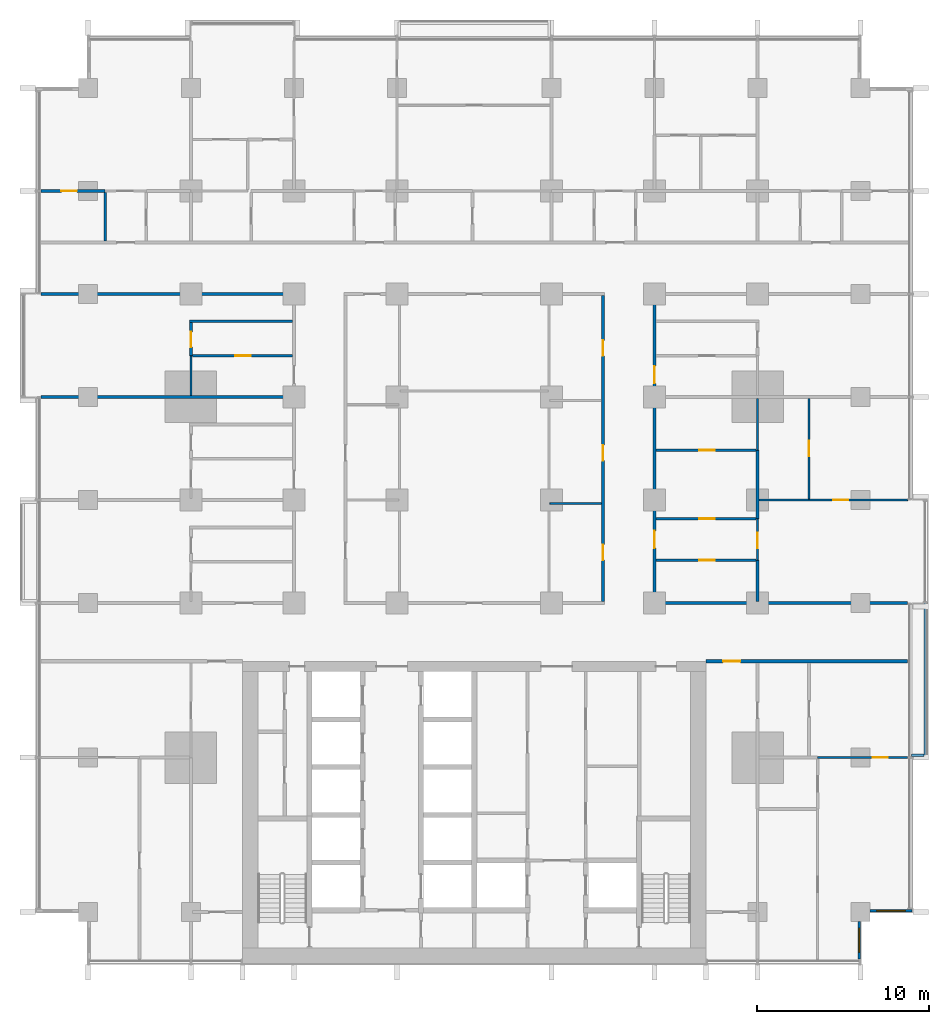
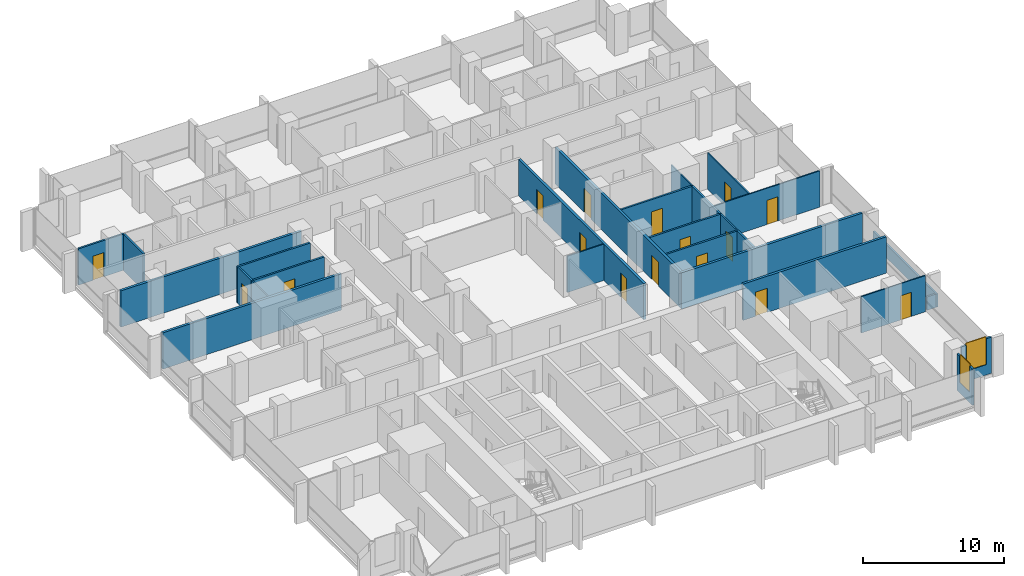
# One storey, part 10 of 18: 27 walls, 16 doors, 2 windows, 18 openings.
"""IFC4 building model written with IfcOpenShell, lengths in metres."""

from ifc_helpers import new_model, si_unit, direction, frame, frame_2d, origin, place, context, subcontext, project, spatial, rectangle, extrude, material, layer, layer_set, type_object, element, fill, save


model = new_model("IFC4")

# Units and contexts
model_context = context("Model", 3, precision=1e-05, world=origin(), true_north=direction((0.0, 1.0)))
body_context = subcontext(model_context, "Body", "Model", "MODEL_VIEW")
ifc_project = project(units=[si_unit("LENGTHUNIT", "METRE"), si_unit("AREAUNIT", "SQUARE_METRE"), si_unit("VOLUMEUNIT", "CUBIC_METRE"), si_unit("PLANEANGLEUNIT", "RADIAN"), si_unit("MASSUNIT", "GRAM", prefix="KILO")], contexts=[model_context])

# Site, building, storey
site_placement = place(None, origin())
site = spatial("IfcSite", under=ifc_project, at=site_placement, CompositionType="ELEMENT")
building_placement = place(site_placement, origin())
building = spatial("IfcBuilding", under=site, at=building_placement, Name="Finial Court Residences", CompositionType="ELEMENT")
storey_placement = place(building_placement, frame((0.0, 0.0, 72.10009765625)))
storey = spatial("IfcBuildingStorey", under=building, at=storey_placement, Name="L17", CompositionType="ELEMENT", Elevation=72.10009765625)

# Wall
ifc_material_1 = material(Name="Gypsum board")
ifc_layer_1 = layer(ifc_material_1, 0.02490234375)
ifc_material_2 = material(Name="Acoustic mineral wool in double frame")
ifc_layer_2 = layer(ifc_material_2, 0.14990234375)
ifc_layer_3 = layer(ifc_material_1, 0.02490234375)
ifc_layer_set_1 = layer_set([ifc_layer_1, ifc_layer_2, ifc_layer_3], Name="Acoustic party wall 200, 1 hour")
wall_type_1 = type_object("IfcWallType", Name="Acoustic party wall 200, 1 hour", PredefinedType="PARTITIONING", material=ifc_layer_set_1)
wall_1_placement = place(storey_placement, frame((-25.25, 7.5, 0.0), z_axis=(0.0, 0.0, 1.0), x_axis=(1.0, 0.0, 0.0)))
element("IfcWall", 1, at=wall_1_placement, inside=storey, type_object=wall_type_1, Name="Partition L17-025", PredefinedType="PARTITIONING", context=body_context, shape_type="SweptSolid", body=[
    extrude(rectangle(XDim=14.64990234375, YDim=0.199951171875, at=frame_2d((7.324951171875, 0.0))), origin(), (0.0, 0.0, 1.0), 3.14990234375),
])

# Wall, opening, door
ifc_layer_4 = layer(ifc_material_1, 0.02490234375)
ifc_layer_5 = layer(ifc_material_2, 0.14990234375)
ifc_layer_6 = layer(ifc_material_1, 0.02490234375)
ifc_layer_set_2 = layer_set([ifc_layer_4, ifc_layer_5, ifc_layer_6], Name="Corridor wall 200, 1 hour")
wall_type_2 = type_object("IfcWallType", Name="Corridor wall 200, 1 hour", PredefinedType="PARTITIONING", material=ifc_layer_set_2)
wall_2_placement = place(storey_placement, frame((13.5, -7.89990234375, 0.0), z_axis=(0.0, 0.0, 1.0), x_axis=(1.0, 0.0, 0.0)))
wall_2 = element("IfcWall", 2, at=wall_2_placement, inside=storey, type_object=wall_type_2, Name="Partition L17-008", PredefinedType="PARTITIONING", context=body_context, shape_type="SweptSolid", body=[
    extrude(rectangle(XDim=11.75, YDim=0.199951171875, at=frame_2d((5.875, 0.0))), origin(), (0.0, 0.0, 1.0), 3.14990234375),
])
opening_1_placement = place(wall_2_placement, frame((1.0, 0.0, 0.0)))
opening_1 = element("IfcOpeningElement", 3, at=opening_1_placement, cuts=wall_2, Name="Opening L17-D006", PredefinedType="OPENING", context=body_context, shape_type="SweptSolid", body=[
    extrude(rectangle(XDim=1.0, YDim=2.10009765625, at=frame_2d((0.5, 1.050048828125))), frame((0.0, 0.10986328125, 0.0), z_axis=(0.0, -1.0, 0.0), x_axis=(1.0, 0.0, 0.0)), (0.0, 0.0, 1.0), 0.219970703125),
])
ifc_material_3 = material(Name="Timber door leaf in hollow metal frame", Category="wood")
door_type_1 = type_object("IfcDoorType", Name="Fire door set 1000 x 2100, 30 minutes", OperationType="SINGLE_SWING_LEFT", PredefinedType="DOOR", material=ifc_material_3)
door_1_placement = place(opening_1_placement, origin())
door_1 = element("IfcDoor", 4, at=door_1_placement, inside=storey, type_object=door_type_1, Name="Door L17-D006", OperationType="SINGLE_SWING_LEFT", OverallHeight=2.10009765625, OverallWidth=1.0, PredefinedType="DOOR", context=body_context, shape_type="SweptSolid", body=[
    extrude(rectangle(XDim=1.0, YDim=2.10009765625, at=frame_2d((0.5, 1.050048828125))), frame((0.0, 0.02490234375, 0.0), z_axis=(0.0, -1.0, 0.0), x_axis=(1.0, 0.0, 0.0)), (0.0, 0.0, 1.0), 0.050048828125),
])
fill(opening_1, door_1)

# Walls
for number, where, z_axis, x_axis, name in (
    (5, (10.39990234375, -4.5, 0.0), (0.0, 0.0, 1.0), (1.0, 0.0, 0.0), "Partition L17-011"),
    (6, (-25.25, 13.5, 0.0), (0.0, 0.0, 1.0), (1.0, 0.0, 0.0), "Partition L17-032"),
):
    element("IfcWall", number, at=place(storey_placement, frame(where, z_axis=z_axis, x_axis=x_axis)), inside=storey, type_object=wall_type_2, Name=name, PredefinedType="PARTITIONING", context=body_context, shape_type="SweptSolid", body=[
        extrude(rectangle(XDim=14.85009765625, YDim=0.199951171875, at=frame_2d((7.425048828125, 0.0))), origin(), (0.0, 0.0, 1.0), 3.14990234375),
    ])

# Wall, openings, doors
wall_3_placement = place(storey_placement, frame((7.5, -4.39990234375, 0.0), z_axis=(0.0, 0.0, 1.0), x_axis=(0.0, 1.0, 0.0)))
wall_3 = element("IfcWall", 7, at=wall_3_placement, inside=storey, type_object=wall_type_2, Name="Partition L17-082", PredefinedType="PARTITIONING", context=body_context, shape_type="SweptSolid", body=[
    extrude(rectangle(XDim=17.7998046875, YDim=0.199951171875, at=frame_2d((8.89990234375, 0.0))), origin(), (0.0, 0.0, 1.0), 3.14990234375),
])
opening_2_placement = place(wall_3_placement, frame((2.39990234375, 0.0, 0.0)))
opening_2 = element("IfcOpeningElement", 8, at=opening_2_placement, cuts=wall_3, Name="Opening L17-D051", PredefinedType="OPENING", context=body_context, shape_type="SweptSolid", body=[
    extrude(rectangle(XDim=0.89990234375, YDim=2.10009765625, at=frame_2d((0.449951171875, 1.050048828125))), frame((0.0, 0.10986328125, 0.0), z_axis=(0.0, -1.0, 0.0), x_axis=(1.0, 0.0, 0.0)), (0.0, 0.0, 1.0), 0.219970703125),
])
opening_3_placement = place(wall_3_placement, frame((8.199951171875, 0.0, 0.0)))
opening_3 = element("IfcOpeningElement", 9, at=opening_3_placement, cuts=wall_3, Name="Opening L17-D052", PredefinedType="OPENING", context=body_context, shape_type="SweptSolid", body=[
    extrude(rectangle(XDim=0.89990234375, YDim=2.10009765625, at=frame_2d((0.449951171875, 1.050048828125))), frame((0.0, 0.10986328125, 0.0), z_axis=(0.0, -1.0, 0.0), x_axis=(1.0, 0.0, 0.0)), (0.0, 0.0, 1.0), 0.219970703125),
])
opening_4_placement = place(wall_3_placement, frame((14.300048828125, 0.0, 0.0)))
opening_4 = element("IfcOpeningElement", 10, at=opening_4_placement, cuts=wall_3, Name="Opening L17-D053", PredefinedType="OPENING", context=body_context, shape_type="SweptSolid", body=[
    extrude(rectangle(XDim=0.89990234375, YDim=2.10009765625, at=frame_2d((0.449951171875, 1.050048828125))), frame((0.0, 0.10986328125, 0.0), z_axis=(0.0, -1.0, 0.0), x_axis=(1.0, 0.0, 0.0)), (0.0, 0.0, 1.0), 0.219970703125),
])
door_type_2 = type_object("IfcDoorType", Name="Fire door set 900 x 2100, 30 minutes", OperationType="SINGLE_SWING_LEFT", PredefinedType="DOOR", material=ifc_material_3)
door_2_placement = place(opening_2_placement, origin())
door_2 = element("IfcDoor", 11, at=door_2_placement, inside=storey, type_object=door_type_2, Name="Door L17-D051", OperationType="SINGLE_SWING_RIGHT", OverallHeight=2.10009765625, OverallWidth=0.89990234375, PredefinedType="DOOR", context=body_context, shape_type="SweptSolid", body=[
    extrude(rectangle(XDim=0.89990234375, YDim=2.10009765625, at=frame_2d((0.449951171875, 1.050048828125))), frame((0.0, 0.02490234375, 0.0), z_axis=(0.0, -1.0, 0.0), x_axis=(1.0, 0.0, 0.0)), (0.0, 0.0, 1.0), 0.050048828125),
])
fill(opening_2, door_2)
door_3_placement = place(opening_3_placement, origin())
door_3 = element("IfcDoor", 12, at=door_3_placement, inside=storey, type_object=door_type_2, Name="Door L17-D052", OperationType="SINGLE_SWING_RIGHT", OverallHeight=2.10009765625, OverallWidth=0.89990234375, PredefinedType="DOOR", context=body_context, shape_type="SweptSolid", body=[
    extrude(rectangle(XDim=0.89990234375, YDim=2.10009765625, at=frame_2d((0.449951171875, 1.050048828125))), frame((0.0, 0.02490234375, 0.0), z_axis=(0.0, -1.0, 0.0), x_axis=(1.0, 0.0, 0.0)), (0.0, 0.0, 1.0), 0.050048828125),
])
fill(opening_3, door_3)
door_4_placement = place(opening_4_placement, origin())
door_4 = element("IfcDoor", 13, at=door_4_placement, inside=storey, type_object=door_type_2, Name="Door L17-D053", OperationType="SINGLE_SWING_LEFT", OverallHeight=2.10009765625, OverallWidth=0.89990234375, PredefinedType="DOOR", context=body_context, shape_type="SweptSolid", body=[
    extrude(rectangle(XDim=0.89990234375, YDim=2.10009765625, at=frame_2d((0.449951171875, 1.050048828125))), frame((0.0, 0.02490234375, 0.0), z_axis=(0.0, -1.0, 0.0), x_axis=(1.0, 0.0, 0.0)), (0.0, 0.0, 1.0), 0.050048828125),
])
fill(opening_4, door_4)

wall_4_placement = place(storey_placement, frame((10.5, -4.39990234375, 0.0), z_axis=(0.0, 0.0, 1.0), x_axis=(0.0, 1.0, 0.0)))
wall_4 = element("IfcWall", 14, at=wall_4_placement, inside=storey, type_object=wall_type_2, Name="Partition L17-084", PredefinedType="PARTITIONING", context=body_context, shape_type="SweptSolid", body=[
    extrude(rectangle(XDim=17.7998046875, YDim=0.199951171875, at=frame_2d((8.89990234375, 0.0))), origin(), (0.0, 0.0, 1.0), 3.14990234375),
])
opening_5_placement = place(wall_4_placement, frame((3.10009765625, 0.0, 0.0)))
opening_5 = element("IfcOpeningElement", 15, at=opening_5_placement, cuts=wall_4, Name="Opening L17-D055", PredefinedType="OPENING", context=body_context, shape_type="SweptSolid", body=[
    extrude(rectangle(XDim=1.0, YDim=2.10009765625, at=frame_2d((0.5, 1.050048828125))), frame((0.0, 0.10986328125, 0.0), z_axis=(0.0, -1.0, 0.0), x_axis=(1.0, 0.0, 0.0)), (0.0, 0.0, 1.0), 0.219970703125),
])
opening_6_placement = place(wall_4_placement, frame((12.699951171875, 0.0, 0.0)))
opening_6 = element("IfcOpeningElement", 16, at=opening_6_placement, cuts=wall_4, Name="Opening L17-D056", PredefinedType="OPENING", context=body_context, shape_type="SweptSolid", body=[
    extrude(rectangle(XDim=1.0, YDim=2.10009765625, at=frame_2d((0.5, 1.050048828125))), frame((0.0, 0.10986328125, 0.0), z_axis=(0.0, -1.0, 0.0), x_axis=(1.0, 0.0, 0.0)), (0.0, 0.0, 1.0), 0.219970703125),
])
door_5_placement = place(opening_5_placement, origin())
door_5 = element("IfcDoor", 17, at=door_5_placement, inside=storey, type_object=door_type_1, Name="Door L17-D055", OperationType="SINGLE_SWING_LEFT", OverallHeight=2.10009765625, OverallWidth=1.0, PredefinedType="DOOR", context=body_context, shape_type="SweptSolid", body=[
    extrude(rectangle(XDim=1.0, YDim=2.10009765625, at=frame_2d((0.5, 1.050048828125))), frame((0.0, 0.02490234375, 0.0), z_axis=(0.0, -1.0, 0.0), x_axis=(1.0, 0.0, 0.0)), (0.0, 0.0, 1.0), 0.050048828125),
])
fill(opening_5, door_5)
door_6_placement = place(opening_6_placement, origin())
door_6 = element("IfcDoor", 18, at=door_6_placement, inside=storey, type_object=door_type_1, Name="Door L17-D056", OperationType="SINGLE_SWING_RIGHT", OverallHeight=2.10009765625, OverallWidth=1.0, PredefinedType="DOOR", context=body_context, shape_type="SweptSolid", body=[
    extrude(rectangle(XDim=1.0, YDim=2.10009765625, at=frame_2d((0.5, 1.050048828125))), frame((0.0, 0.02490234375, 0.0), z_axis=(0.0, -1.0, 0.0), x_axis=(1.0, 0.0, 0.0)), (0.0, 0.0, 1.0), 0.050048828125),
])
fill(opening_6, door_6)

# Wall, opening, door
ifc_layer_7 = layer(ifc_material_1, 0.012451171875)
ifc_material_4 = material(Name="Mineral wool in light-gauge frame")
ifc_layer_8 = layer(ifc_material_4, 0.074951171875)
ifc_layer_9 = layer(ifc_material_1, 0.012451171875)
ifc_layer_set_3 = layer_set([ifc_layer_7, ifc_layer_8, ifc_layer_9], Name="Gypsum board partition 100")
wall_type_3 = type_object("IfcWallType", Name="Gypsum board partition 100", PredefinedType="PARTITIONING", material=ifc_layer_set_3)
wall_5_placement = place(storey_placement, frame((20.0, -13.5, 0.0), z_axis=(0.0, 0.0, 1.0), x_axis=(1.0, 0.0, 0.0)))
wall_5 = element("IfcWall", 19, at=wall_5_placement, inside=storey, type_object=wall_type_3, Name="Partition L17-004", PredefinedType="PARTITIONING", context=body_context, shape_type="SweptSolid", body=[
    extrude(rectangle(XDim=5.25, YDim=0.10009765625, at=frame_2d((2.625, 0.0))), origin(), (0.0, 0.0, 1.0), 3.14990234375),
])
opening_7_placement = place(wall_5_placement, frame((3.199951171875, 0.0, 0.0)))
opening_7 = element("IfcOpeningElement", 20, at=opening_7_placement, cuts=wall_5, Name="Opening L17-D004", PredefinedType="OPENING", context=body_context, shape_type="SweptSolid", body=[
    extrude(rectangle(XDim=0.89990234375, YDim=2.10009765625, at=frame_2d((0.449951171875, 1.050048828125))), frame((0.0, 0.06005859375, 0.0), z_axis=(0.0, -1.0, 0.0), x_axis=(1.0, 0.0, 0.0)), (0.0, 0.0, 1.0), 0.1201171875),
])
ifc_material_5 = material(Name="Timber door leaf in timber frame", Category="wood")
door_type_3 = type_object("IfcDoorType", Name="Door set 900 x 2100", OperationType="SINGLE_SWING_LEFT", PredefinedType="DOOR", material=ifc_material_5)
door_7_placement = place(opening_7_placement, origin())
door_7 = element("IfcDoor", 21, at=door_7_placement, inside=storey, type_object=door_type_3, Name="Door L17-D004", OperationType="SINGLE_SWING_RIGHT", OverallHeight=2.10009765625, OverallWidth=0.89990234375, PredefinedType="DOOR", context=body_context, shape_type="SweptSolid", body=[
    extrude(rectangle(XDim=0.89990234375, YDim=2.10009765625, at=frame_2d((0.449951171875, 1.050048828125))), frame((0.0, 0.02490234375, 0.0), z_axis=(0.0, -1.0, 0.0), x_axis=(1.0, 0.0, 0.0)), (0.0, 0.0, 1.0), 0.050048828125),
])
fill(opening_7, door_7)

# Wall
wall_6_placement = place(storey_placement, frame((4.39990234375, 1.300048828125, 0.0), z_axis=(0.0, 0.0, 1.0), x_axis=(1.0, 0.0, 0.0)))
element("IfcWall", 22, at=wall_6_placement, inside=storey, type_object=wall_type_3, Name="Partition L17-016", PredefinedType="PARTITIONING", context=body_context, shape_type="SweptSolid", body=[
    extrude(rectangle(XDim=3.0, YDim=0.10009765625, at=frame_2d((1.5, 0.0))), origin(), (0.0, 0.0, 1.0), 3.14990234375),
])

# Wall, opening, door
wall_7_placement = place(storey_placement, frame((16.574951171875, 1.5, 0.0), z_axis=(0.0, 0.0, 1.0), x_axis=(1.0, 0.0, 0.0)))
wall_7 = element("IfcWall", 23, at=wall_7_placement, inside=storey, type_object=wall_type_3, Name="Partition L17-018", PredefinedType="PARTITIONING", context=body_context, shape_type="SweptSolid", body=[
    extrude(rectangle(XDim=8.675048828125, YDim=0.10009765625, at=frame_2d((4.33740234375, 0.0))), origin(), (0.0, 0.0, 1.0), 3.14990234375),
])
opening_8_placement = place(wall_7_placement, frame((4.324951171875, 0.0, 0.0)))
opening_8 = element("IfcOpeningElement", 24, at=opening_8_placement, cuts=wall_7, Name="Opening L17-D011", PredefinedType="OPENING", context=body_context, shape_type="SweptSolid", body=[
    extrude(rectangle(XDim=0.89990234375, YDim=2.10009765625, at=frame_2d((0.449951171875, 1.050048828125))), frame((0.0, 0.06005859375, 0.0), z_axis=(0.0, -1.0, 0.0), x_axis=(1.0, 0.0, 0.0)), (0.0, 0.0, 1.0), 0.1201171875),
])
door_8_placement = place(opening_8_placement, origin())
door_8 = element("IfcDoor", 25, at=door_8_placement, inside=storey, type_object=door_type_3, Name="Door L17-D011", OperationType="SINGLE_SWING_LEFT", OverallHeight=2.10009765625, OverallWidth=0.89990234375, PredefinedType="DOOR", context=body_context, shape_type="SweptSolid", body=[
    extrude(rectangle(XDim=0.89990234375, YDim=2.10009765625, at=frame_2d((0.449951171875, 1.050048828125))), frame((0.0, 0.02490234375, 0.0), z_axis=(0.0, -1.0, 0.0), x_axis=(1.0, 0.0, 0.0)), (0.0, 0.0, 1.0), 0.050048828125),
])
fill(opening_8, door_8)

# Wall
wall_8_placement = place(storey_placement, frame((-16.5, 7.60009765625, 0.0), z_axis=(0.0, 0.0, 1.0), x_axis=(0.0, 1.0, 0.0)))
element("IfcWall", 26, at=wall_8_placement, inside=storey, type_object=wall_type_3, Name="Partition L17-060", PredefinedType="PARTITIONING", context=body_context, shape_type="SweptSolid", body=[
    extrude(rectangle(XDim=2.2998046875, YDim=0.10009765625, at=frame_2d((1.14990234375, 0.0))), origin(), (0.0, 0.0, 1.0), 3.14990234375),
])

# Wall, opening, door
wall_9_placement = place(storey_placement, frame((16.5, -2.0, 0.0), z_axis=(0.0, 0.0, 1.0), x_axis=(0.0, 1.0, 0.0)))
wall_9 = element("IfcWall", 27, at=wall_9_placement, inside=storey, type_object=wall_type_3, Name="Partition L17-089", PredefinedType="PARTITIONING", context=body_context, shape_type="SweptSolid", body=[
    extrude(rectangle(XDim=2.39990234375, YDim=0.10009765625, at=frame_2d((1.199951171875, 0.0))), origin(), (0.0, 0.0, 1.0), 3.14990234375),
])
opening_9_placement = place(wall_9_placement, frame((0.699951171875, 0.0, 0.0)))
opening_9 = element("IfcOpeningElement", 28, at=opening_9_placement, cuts=wall_9, Name="Opening L17-D058", PredefinedType="OPENING", context=body_context, shape_type="SweptSolid", body=[
    extrude(rectangle(XDim=0.89990234375, YDim=2.10009765625, at=frame_2d((0.449951171875, 1.050048828125))), frame((0.0, 0.06005859375, 0.0), z_axis=(0.0, -1.0, 0.0), x_axis=(1.0, 0.0, 0.0)), (0.0, 0.0, 1.0), 0.1201171875),
])
door_9_placement = place(opening_9_placement, origin())
door_9 = element("IfcDoor", 29, at=door_9_placement, inside=storey, type_object=door_type_3, Name="Door L17-D058", OperationType="SINGLE_SWING_LEFT", OverallHeight=2.10009765625, OverallWidth=0.89990234375, PredefinedType="DOOR", context=body_context, shape_type="SweptSolid", body=[
    extrude(rectangle(XDim=0.89990234375, YDim=2.10009765625, at=frame_2d((0.449951171875, 1.050048828125))), frame((0.0, 0.02490234375, 0.0), z_axis=(0.0, -1.0, 0.0), x_axis=(1.0, 0.0, 0.0)), (0.0, 0.0, 1.0), 0.050048828125),
])
fill(opening_9, door_9)

# Wall
wall_10_placement = place(storey_placement, frame((16.5, 4.39990234375, 0.0), z_axis=(0.0, 0.0, 1.0), x_axis=(0.0, 1.0, 0.0)))
element("IfcWall", 30, at=wall_10_placement, inside=storey, type_object=wall_type_3, Name="Partition L17-090", PredefinedType="PARTITIONING", context=body_context, shape_type="SweptSolid", body=[
    extrude(rectangle(XDim=3.0, YDim=0.10009765625, at=frame_2d((1.5, 0.0))), origin(), (0.0, 0.0, 1.0), 3.14990234375),
])

# Wall, opening, door
wall_11_placement = place(storey_placement, frame((19.5, 1.550048828125, 0.0), z_axis=(0.0, 0.0, 1.0), x_axis=(0.0, 1.0, 0.0)))
wall_11 = element("IfcWall", 31, at=wall_11_placement, inside=storey, type_object=wall_type_3, Name="Partition L17-100", PredefinedType="PARTITIONING", context=body_context, shape_type="SweptSolid", body=[
    extrude(rectangle(XDim=5.849853515625, YDim=0.10009765625, at=frame_2d((2.9248046875, 0.0))), origin(), (0.0, 0.0, 1.0), 3.14990234375),
])
opening_10_placement = place(wall_11_placement, frame((2.5, 0.0, 0.0)))
opening_10 = element("IfcOpeningElement", 32, at=opening_10_placement, cuts=wall_11, Name="Opening L17-D062", PredefinedType="OPENING", context=body_context, shape_type="SweptSolid", body=[
    extrude(rectangle(XDim=0.89990234375, YDim=2.10009765625, at=frame_2d((0.449951171875, 1.050048828125))), frame((0.0, 0.06005859375, 0.0), z_axis=(0.0, -1.0, 0.0), x_axis=(1.0, 0.0, 0.0)), (0.0, 0.0, 1.0), 0.1201171875),
])
door_10_placement = place(opening_10_placement, origin())
door_10 = element("IfcDoor", 33, at=door_10_placement, inside=storey, type_object=door_type_3, Name="Door L17-D062", OperationType="SINGLE_SWING_RIGHT", OverallHeight=2.10009765625, OverallWidth=0.89990234375, PredefinedType="DOOR", context=body_context, shape_type="SweptSolid", body=[
    extrude(rectangle(XDim=0.89990234375, YDim=2.10009765625, at=frame_2d((0.449951171875, 1.050048828125))), frame((0.0, 0.02490234375, 0.0), z_axis=(0.0, -1.0, 0.0), x_axis=(1.0, 0.0, 0.0)), (0.0, 0.0, 1.0), 0.050048828125),
])
fill(opening_10, door_10)

ifc_material_6 = material(Name="Moisture-resistant gypsum board")
ifc_layer_10 = layer(ifc_material_6, 0.012451171875)
ifc_layer_11 = layer(ifc_material_4, 0.125)
ifc_layer_12 = layer(ifc_material_6, 0.012451171875)
ifc_layer_set_4 = layer_set([ifc_layer_10, ifc_layer_11, ifc_layer_12], Name="Gypsum board wet-area partition 150")
wall_type_4 = type_object("IfcWallType", Name="Gypsum board wet-area partition 150", PredefinedType="PARTITIONING", material=ifc_layer_set_4)
wall_12_placement = place(storey_placement, frame((10.60009765625, -2.0, 0.0), z_axis=(0.0, 0.0, 1.0), x_axis=(1.0, 0.0, 0.0)))
wall_12 = element("IfcWall", 34, at=wall_12_placement, inside=storey, type_object=wall_type_4, Name="Partition L17-013", PredefinedType="PARTITIONING", context=body_context, shape_type="SweptSolid", body=[
    extrude(rectangle(XDim=5.824951171875, YDim=0.14990234375, at=frame_2d((2.91259765625, 0.0))), origin(), (0.0, 0.0, 1.0), 3.14990234375),
])
opening_11_placement = place(wall_12_placement, frame((2.5, 0.0, 0.0)))
opening_11 = element("IfcOpeningElement", 35, at=opening_11_placement, cuts=wall_12, Name="Opening L17-D009", PredefinedType="OPENING", context=body_context, shape_type="SweptSolid", body=[
    extrude(rectangle(XDim=0.89990234375, YDim=2.10009765625, at=frame_2d((0.449951171875, 1.050048828125))), frame((0.0, 0.0849609375, 0.0), z_axis=(0.0, -1.0, 0.0), x_axis=(1.0, 0.0, 0.0)), (0.0, 0.0, 1.0), 0.169921875),
])
door_11_placement = place(opening_11_placement, origin())
door_11 = element("IfcDoor", 36, at=door_11_placement, inside=storey, type_object=door_type_3, Name="Door L17-D009", OperationType="SINGLE_SWING_LEFT", OverallHeight=2.10009765625, OverallWidth=0.89990234375, PredefinedType="DOOR", context=body_context, shape_type="SweptSolid", body=[
    extrude(rectangle(XDim=0.89990234375, YDim=2.10009765625, at=frame_2d((0.449951171875, 1.050048828125))), frame((0.0, 0.02490234375, 0.0), z_axis=(0.0, -1.0, 0.0), x_axis=(1.0, 0.0, 0.0)), (0.0, 0.0, 1.0), 0.050048828125),
])
fill(opening_11, door_11)

wall_13_placement = place(storey_placement, frame((10.60009765625, 0.39990234375, 0.0), z_axis=(0.0, 0.0, 1.0), x_axis=(1.0, 0.0, 0.0)))
wall_13 = element("IfcWall", 37, at=wall_13_placement, inside=storey, type_object=wall_type_4, Name="Partition L17-015", PredefinedType="PARTITIONING", context=body_context, shape_type="SweptSolid", body=[
    extrude(rectangle(XDim=5.824951171875, YDim=0.14990234375, at=frame_2d((2.91259765625, 0.0))), origin(), (0.0, 0.0, 1.0), 3.14990234375),
])
opening_12_placement = place(wall_13_placement, frame((2.5, 0.0, 0.0)))
opening_12 = element("IfcOpeningElement", 38, at=opening_12_placement, cuts=wall_13, Name="Opening L17-D010", PredefinedType="OPENING", context=body_context, shape_type="SweptSolid", body=[
    extrude(rectangle(XDim=0.89990234375, YDim=2.10009765625, at=frame_2d((0.449951171875, 1.050048828125))), frame((0.0, 0.0849609375, 0.0), z_axis=(0.0, -1.0, 0.0), x_axis=(1.0, 0.0, 0.0)), (0.0, 0.0, 1.0), 0.169921875),
])
door_12_placement = place(opening_12_placement, origin())
door_12 = element("IfcDoor", 39, at=door_12_placement, inside=storey, type_object=door_type_3, Name="Door L17-D010", OperationType="SINGLE_SWING_LEFT", OverallHeight=2.10009765625, OverallWidth=0.89990234375, PredefinedType="DOOR", context=body_context, shape_type="SweptSolid", body=[
    extrude(rectangle(XDim=0.89990234375, YDim=2.10009765625, at=frame_2d((0.449951171875, 1.050048828125))), frame((0.0, 0.02490234375, 0.0), z_axis=(0.0, -1.0, 0.0), x_axis=(1.0, 0.0, 0.0)), (0.0, 0.0, 1.0), 0.050048828125),
])
fill(opening_12, door_12)

wall_14_placement = place(storey_placement, frame((10.60009765625, 4.39990234375, 0.0), z_axis=(0.0, 0.0, 1.0), x_axis=(1.0, 0.0, 0.0)))
wall_14 = element("IfcWall", 40, at=wall_14_placement, inside=storey, type_object=wall_type_4, Name="Partition L17-021", PredefinedType="PARTITIONING", context=body_context, shape_type="SweptSolid", body=[
    extrude(rectangle(XDim=5.824951171875, YDim=0.14990234375, at=frame_2d((2.91259765625, 0.0))), origin(), (0.0, 0.0, 1.0), 3.14990234375),
])
opening_13_placement = place(wall_14_placement, frame((2.5, 0.0, 0.0)))
opening_13 = element("IfcOpeningElement", 41, at=opening_13_placement, cuts=wall_14, Name="Opening L17-D012", PredefinedType="OPENING", context=body_context, shape_type="SweptSolid", body=[
    extrude(rectangle(XDim=0.89990234375, YDim=2.10009765625, at=frame_2d((0.449951171875, 1.050048828125))), frame((0.0, 0.0849609375, 0.0), z_axis=(0.0, -1.0, 0.0), x_axis=(1.0, 0.0, 0.0)), (0.0, 0.0, 1.0), 0.169921875),
])
door_13_placement = place(opening_13_placement, origin())
door_13 = element("IfcDoor", 42, at=door_13_placement, inside=storey, type_object=door_type_3, Name="Door L17-D012", OperationType="SINGLE_SWING_LEFT", OverallHeight=2.10009765625, OverallWidth=0.89990234375, PredefinedType="DOOR", context=body_context, shape_type="SweptSolid", body=[
    extrude(rectangle(XDim=0.89990234375, YDim=2.10009765625, at=frame_2d((0.449951171875, 1.050048828125))), frame((0.0, 0.02490234375, 0.0), z_axis=(0.0, -1.0, 0.0), x_axis=(1.0, 0.0, 0.0)), (0.0, 0.0, 1.0), 0.050048828125),
])
fill(opening_13, door_13)

wall_15_placement = place(storey_placement, frame((-16.425048828125, 9.89990234375, 0.0), z_axis=(0.0, 0.0, 1.0), x_axis=(1.0, 0.0, 0.0)))
wall_15 = element("IfcWall", 43, at=wall_15_placement, inside=storey, type_object=wall_type_4, Name="Partition L17-028", PredefinedType="PARTITIONING", context=body_context, shape_type="SweptSolid", body=[
    extrude(rectangle(XDim=5.824951171875, YDim=0.14990234375, at=frame_2d((2.91259765625, 0.0))), origin(), (0.0, 0.0, 1.0), 3.14990234375),
])
opening_14_placement = place(wall_15_placement, frame((2.5, 0.0, 0.0)))
opening_14 = element("IfcOpeningElement", 44, at=opening_14_placement, cuts=wall_15, Name="Opening L17-D013", PredefinedType="OPENING", context=body_context, shape_type="SweptSolid", body=[
    extrude(rectangle(XDim=0.89990234375, YDim=2.10009765625, at=frame_2d((0.449951171875, 1.050048828125))), frame((0.0, 0.0849609375, 0.0), z_axis=(0.0, -1.0, 0.0), x_axis=(1.0, 0.0, 0.0)), (0.0, 0.0, 1.0), 0.169921875),
])
door_14_placement = place(opening_14_placement, origin())
door_14 = element("IfcDoor", 45, at=door_14_placement, inside=storey, type_object=door_type_3, Name="Door L17-D013", OperationType="SINGLE_SWING_LEFT", OverallHeight=2.10009765625, OverallWidth=0.89990234375, PredefinedType="DOOR", context=body_context, shape_type="SweptSolid", body=[
    extrude(rectangle(XDim=0.89990234375, YDim=2.10009765625, at=frame_2d((0.449951171875, 1.050048828125))), frame((0.0, 0.02490234375, 0.0), z_axis=(0.0, -1.0, 0.0), x_axis=(1.0, 0.0, 0.0)), (0.0, 0.0, 1.0), 0.050048828125),
])
fill(opening_14, door_14)

# Wall
wall_16_placement = place(storey_placement, frame((-16.574951171875, 11.89990234375, 0.0), z_axis=(0.0, 0.0, 1.0), x_axis=(1.0, 0.0, 0.0)))
element("IfcWall", 46, at=wall_16_placement, inside=storey, type_object=wall_type_4, Name="Partition L17-030", PredefinedType="PARTITIONING", context=body_context, shape_type="SweptSolid", body=[
    extrude(rectangle(XDim=5.974853515625, YDim=0.14990234375, at=frame_2d((2.9873046875, 0.0))), origin(), (0.0, 0.0, 1.0), 3.14990234375),
])

# Wall, opening, door
wall_17_placement = place(storey_placement, frame((-25.25, 19.5, 0.0), z_axis=(0.0, 0.0, 1.0), x_axis=(1.0, 0.0, 0.0)))
wall_17 = element("IfcWall", 47, at=wall_17_placement, inside=storey, type_object=wall_type_4, Name="Partition L17-042", PredefinedType="PARTITIONING", context=body_context, shape_type="SweptSolid", body=[
    extrude(rectangle(XDim=3.75, YDim=0.14990234375, at=frame_2d((1.875, 0.0))), origin(), (0.0, 0.0, 1.0), 3.14990234375),
])
opening_15_placement = place(wall_17_placement, frame((1.199951171875, 0.0, 0.0)))
opening_15 = element("IfcOpeningElement", 48, at=opening_15_placement, cuts=wall_17, Name="Opening L17-D025", PredefinedType="OPENING", context=body_context, shape_type="SweptSolid", body=[
    extrude(rectangle(XDim=0.89990234375, YDim=2.10009765625, at=frame_2d((0.449951171875, 1.050048828125))), frame((0.0, 0.0849609375, 0.0), z_axis=(0.0, -1.0, 0.0), x_axis=(1.0, 0.0, 0.0)), (0.0, 0.0, 1.0), 0.169921875),
])
door_15_placement = place(opening_15_placement, origin())
door_15 = element("IfcDoor", 49, at=door_15_placement, inside=storey, type_object=door_type_3, Name="Door L17-D025", OperationType="SINGLE_SWING_LEFT", OverallHeight=2.10009765625, OverallWidth=0.89990234375, PredefinedType="DOOR", context=body_context, shape_type="SweptSolid", body=[
    extrude(rectangle(XDim=0.89990234375, YDim=2.10009765625, at=frame_2d((0.449951171875, 1.050048828125))), frame((0.0, 0.02490234375, 0.0), z_axis=(0.0, -1.0, 0.0), x_axis=(1.0, 0.0, 0.0)), (0.0, 0.0, 1.0), 0.050048828125),
])
fill(opening_15, door_15)

# Wall
wall_18_placement = place(storey_placement, frame((-21.5, 16.60009765625, 0.0), z_axis=(0.0, 0.0, 1.0), x_axis=(0.0, 1.0, 0.0)))
element("IfcWall", 50, at=wall_18_placement, inside=storey, type_object=wall_type_4, Name="Partition L17-054", PredefinedType="PARTITIONING", context=body_context, shape_type="SweptSolid", body=[
    extrude(rectangle(XDim=2.824951171875, YDim=0.14990234375, at=frame_2d((1.41259765625, 0.0))), origin(), (0.0, 0.0, 1.0), 3.14990234375),
])

# Wall, opening, door
wall_19_placement = place(storey_placement, frame((-16.5, 9.89990234375, 0.0), z_axis=(0.0, 0.0, 1.0), x_axis=(0.0, 1.0, 0.0)))
wall_19 = element("IfcWall", 51, at=wall_19_placement, inside=storey, type_object=wall_type_4, Name="Partition L17-066", PredefinedType="PARTITIONING", context=body_context, shape_type="SweptSolid", body=[
    extrude(rectangle(XDim=1.925048828125, YDim=0.14990234375, at=frame_2d((0.96240234375, 0.0))), origin(), (0.0, 0.0, 1.0), 3.14990234375),
])
opening_16_placement = place(wall_19_placement, frame((0.5, 0.0, 0.0)))
opening_16 = element("IfcOpeningElement", 52, at=opening_16_placement, cuts=wall_19, Name="Opening L17-D039", PredefinedType="OPENING", context=body_context, shape_type="SweptSolid", body=[
    extrude(rectangle(XDim=0.89990234375, YDim=2.10009765625, at=frame_2d((0.449951171875, 1.050048828125))), frame((0.0, 0.0849609375, 0.0), z_axis=(0.0, -1.0, 0.0), x_axis=(1.0, 0.0, 0.0)), (0.0, 0.0, 1.0), 0.169921875),
])
door_16_placement = place(opening_16_placement, origin())
door_16 = element("IfcDoor", 53, at=door_16_placement, inside=storey, type_object=door_type_3, Name="Door L17-D039", OperationType="SINGLE_SWING_LEFT", OverallHeight=2.10009765625, OverallWidth=0.89990234375, PredefinedType="DOOR", context=body_context, shape_type="SweptSolid", body=[
    extrude(rectangle(XDim=0.89990234375, YDim=2.10009765625, at=frame_2d((0.449951171875, 1.050048828125))), frame((0.0, 0.02490234375, 0.0), z_axis=(0.0, -1.0, 0.0), x_axis=(1.0, 0.0, 0.0)), (0.0, 0.0, 1.0), 0.050048828125),
])
fill(opening_16, door_16)

# Walls
wall_20_placement = place(storey_placement, frame((16.5, -4.39990234375, 0.0), z_axis=(0.0, 0.0, 1.0), x_axis=(0.0, 1.0, 0.0)))
element("IfcWall", 54, at=wall_20_placement, inside=storey, type_object=wall_type_4, Name="Partition L17-096", PredefinedType="PARTITIONING", context=body_context, shape_type="SweptSolid", body=[
    extrude(rectangle(XDim=2.39990234375, YDim=0.14990234375, at=frame_2d((1.199951171875, 0.0))), origin(), (0.0, 0.0, 1.0), 3.14990234375),
])
wall_21_placement = place(storey_placement, frame((16.5, 0.39990234375, 0.0), z_axis=(0.0, 0.0, 1.0), x_axis=(0.0, 1.0, 0.0)))
element("IfcWall", 55, at=wall_21_placement, inside=storey, type_object=wall_type_4, Name="Partition L17-097", PredefinedType="PARTITIONING", context=body_context, shape_type="SweptSolid", body=[
    extrude(rectangle(XDim=4.0, YDim=0.14990234375, at=frame_2d((2.0, 0.0))), origin(), (0.0, 0.0, 1.0), 3.14990234375),
])
ifc_material_7 = material(Name="Concrete C35/45", Category="concrete")
ifc_layer_13 = layer(ifc_material_7, 0.14990234375)
ifc_layer_set_5 = layer_set([ifc_layer_13], Name="Ledge parapet, Concrete C35/45 150")
wall_type_5 = type_object("IfcWallType", Name="Ledge parapet, Concrete C35/45 150", PredefinedType="PARAPET", material=ifc_layer_set_5)
wall_22_placement = place(storey_placement, frame((26.27490234375, -4.4599609375, 0.0), z_axis=(0.0, 0.0, 1.0), x_axis=(0.0, -1.0, 0.0)))
element("IfcWall", 56, at=wall_22_placement, inside=storey, type_object=wall_type_5, Name="E-L17-LED1-P1", PredefinedType="PARAPET", context=body_context, shape_type="SweptSolid", body=[
    extrude(rectangle(XDim=8.989990234375, YDim=0.14990234375, at=frame_2d((4.4951171875, 0.0))), origin(), (0.0, 0.0, 1.0), 1.14990234375),
])
wall_23_placement = place(storey_placement, frame((26.199951171875, -13.375, 0.0), z_axis=(0.0, 0.0, 1.0), x_axis=(-1.0, 0.0, 0.0)))
element("IfcWall", 57, at=wall_23_placement, inside=storey, type_object=wall_type_5, Name="E-L17-LED1-P2", PredefinedType="PARAPET", context=body_context, shape_type="SweptSolid", body=[
    extrude(rectangle(XDim=0.739990234375, YDim=0.14990234375, at=frame_2d((0.3701171875, 0.0))), origin(), (0.0, 0.0, 1.0), 1.14990234375),
])

# Wall, opening, window
ifc_material_8 = material(Name="Natural limestone", Category="masonry")
ifc_layer_14 = layer(ifc_material_8, 0.14990234375)
ifc_layer_set_6 = layer_set([ifc_layer_14], Name="Limestone clad wall 150")
wall_type_6 = type_object("IfcWallType", Name="Limestone clad wall 150", PredefinedType="SOLIDWALL", material=ifc_layer_set_6)
wall_24_placement = place(storey_placement, frame((22.425048828125, -23.050048828125, 0.0), z_axis=(0.0, 0.0, 1.0), x_axis=(0.0, -1.0, 0.0)))
wall_24 = element("IfcWall", 58, at=wall_24_placement, inside=storey, type_object=wall_type_6, Name="E-L17-NWE14", PredefinedType="SOLIDWALL", context=body_context, shape_type="SweptSolid", body=[
    extrude(rectangle(XDim=2.199951171875, YDim=0.14990234375, at=frame_2d((1.10009765625, 0.0))), origin(), (0.0, 0.0, 1.0), 3.14990234375),
])
opening_17_placement = place(wall_24_placement, frame((0.39990234375, 0.0, 0.89990234375)))
opening_17 = element("IfcOpeningElement", 59, at=opening_17_placement, cuts=wall_24, Name="Opening WE17-03", PredefinedType="OPENING", context=body_context, shape_type="SweptSolid", body=[
    extrude(rectangle(XDim=1.39990234375, YDim=2.39990234375, at=frame_2d((0.699951171875, 1.199951171875))), frame((0.0, 0.0849609375, 0.0), z_axis=(0.0, -1.0, 0.0), x_axis=(1.0, 0.0, 0.0)), (0.0, 0.0, 1.0), 0.169921875),
])
ifc_material_9 = material(Name="Clear low-e glass", Category="glass")
window_type_1 = type_object("IfcWindowType", Name="Corner window 1400 x 2400", PartitioningType="SINGLE_PANEL", PredefinedType="WINDOW", material=ifc_material_9)
window_1_placement = place(opening_17_placement, origin())
window_1 = element("IfcWindow", 60, at=window_1_placement, inside=storey, type_object=window_type_1, Name="E-L17-NWE14-W1", OverallHeight=2.39990234375, OverallWidth=1.39990234375, PartitioningType="SINGLE_PANEL", PredefinedType="WINDOW", context=body_context, shape_type="SweptSolid", body=[
    extrude(rectangle(XDim=1.39990234375, YDim=2.39990234375, at=frame_2d((0.699951171875, 1.199951171875))), frame((0.0, 0.030029296875, 0.0), z_axis=(0.0, -1.0, 0.0), x_axis=(1.0, 0.0, 0.0)), (0.0, 0.0, 1.0), 0.06005859375),
])
fill(opening_17, window_1)

wall_25_placement = place(storey_placement, frame((25.5, -22.425048828125, 0.0), z_axis=(0.0, 0.0, 1.0), x_axis=(-1.0, 0.0, 0.0)))
wall_25 = element("IfcWall", 61, at=wall_25_placement, inside=storey, type_object=wall_type_6, Name="E-L17-NWS15", PredefinedType="SOLIDWALL", context=body_context, shape_type="SweptSolid", body=[
    extrude(rectangle(XDim=2.449951171875, YDim=0.14990234375, at=frame_2d((1.22509765625, 0.0))), origin(), (0.0, 0.0, 1.0), 3.14990234375),
])
opening_18_placement = place(wall_25_placement, frame((0.39990234375, 0.0, 0.89990234375)))
opening_18 = element("IfcOpeningElement", 62, at=opening_18_placement, cuts=wall_25, Name="Opening WE17-04", PredefinedType="OPENING", context=body_context, shape_type="SweptSolid", body=[
    extrude(rectangle(XDim=1.64990234375, YDim=2.39990234375, at=frame_2d((0.824951171875, 1.199951171875))), frame((0.0, 0.0849609375, 0.0), z_axis=(0.0, -1.0, 0.0), x_axis=(1.0, 0.0, 0.0)), (0.0, 0.0, 1.0), 0.169921875),
])
window_type_2 = type_object("IfcWindowType", Name="Corner window 1650 x 2400", PartitioningType="SINGLE_PANEL", PredefinedType="WINDOW", material=ifc_material_9)
window_2_placement = place(opening_18_placement, origin())
window_2 = element("IfcWindow", 63, at=window_2_placement, inside=storey, type_object=window_type_2, Name="E-L17-NWS15-W1", OverallHeight=2.39990234375, OverallWidth=1.64990234375, PartitioningType="SINGLE_PANEL", PredefinedType="WINDOW", context=body_context, shape_type="SweptSolid", body=[
    extrude(rectangle(XDim=1.64990234375, YDim=2.39990234375, at=frame_2d((0.824951171875, 1.199951171875))), frame((0.0, 0.030029296875, 0.0), z_axis=(0.0, -1.0, 0.0), x_axis=(1.0, 0.0, 0.0)), (0.0, 0.0, 1.0), 0.06005859375),
])
fill(opening_18, window_2)

save(model, "model.ifc")
